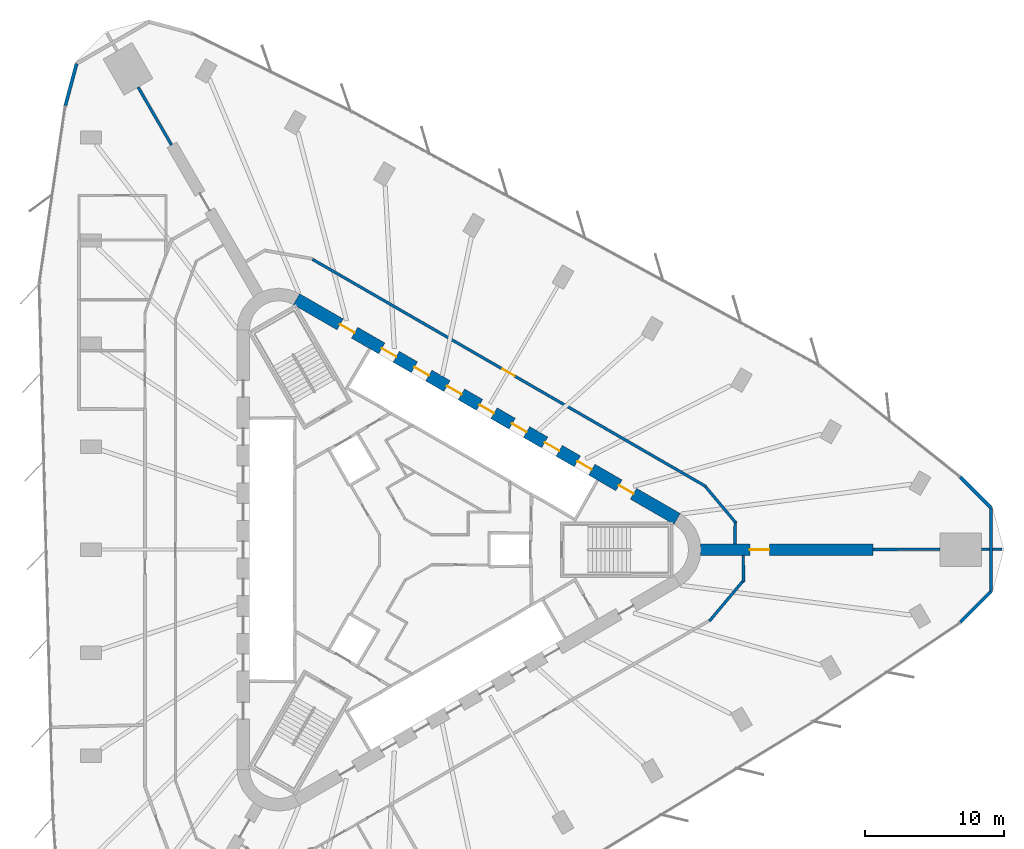
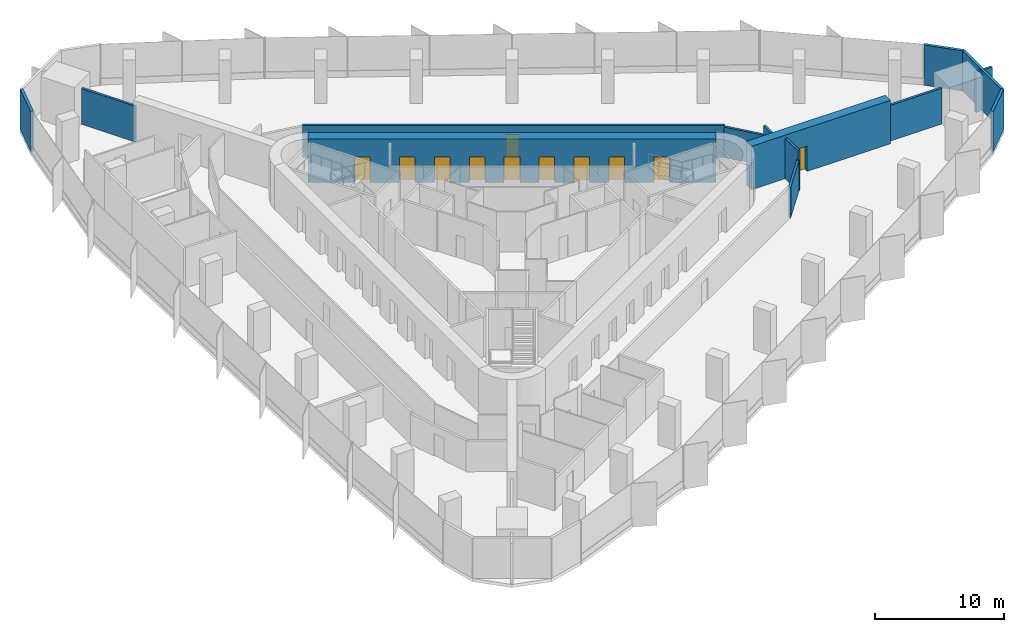
# One storey, part 12 of 14: 15 walls, 11 doors, 11 openings.
"""IFC4 building model written with IfcOpenShell, lengths in metres."""

from ifc_helpers import new_model, si_unit, direction, frame, frame_2d, origin, place, context, subcontext, project, spatial, rectangle, extrude, material, layer, layer_set, type_object, element, fill, save


model = new_model("IFC4")

# Units and contexts
model_context = context("Model", 3, precision=1e-05, world=origin(), true_north=direction((0.0, 1.0)))
body_context = subcontext(model_context, "Body", "Model", "MODEL_VIEW")
ifc_project = project(units=[si_unit("LENGTHUNIT", "METRE"), si_unit("AREAUNIT", "SQUARE_METRE"), si_unit("VOLUMEUNIT", "CUBIC_METRE"), si_unit("PLANEANGLEUNIT", "RADIAN"), si_unit("MASSUNIT", "GRAM", prefix="KILO")], contexts=[model_context])

# Site, building, storey
site_placement = place(None, origin())
site = spatial("IfcSite", under=ifc_project, at=site_placement, CompositionType="ELEMENT")
building_placement = place(site_placement, origin())
building = spatial("IfcBuilding", under=site, at=building_placement, Name="Tanit Gate Tower", CompositionType="ELEMENT")
storey_placement = place(building_placement, frame((0.0, 0.0, 148.0)))
storey = spatial("IfcBuildingStorey", under=building, at=storey_placement, Name="L32", CompositionType="ELEMENT", Elevation=148.0)

# Wall, opening, door
ifc_material_1 = material(Name="Concrete C60/75", Category="concrete")
ifc_layer_1 = layer(ifc_material_1, 0.800048828125)
ifc_layer_set_1 = layer_set([ifc_layer_1], Name="BUTTRESS FIN 800 C60/75")
wall_type_1 = type_object("IfcWallType", Name="BUTTRESS FIN 800 C60/75", PredefinedType="SHEAR", material=ifc_layer_set_1)
wall_1_placement = place(storey_placement, frame((21.14990234375, 0.0, 0.0), z_axis=(0.0, 0.0, 1.0), x_axis=(1.0, 0.0, 0.0)))
wall_1 = element("IfcWall", 1, at=wall_1_placement, inside=storey, type_object=wall_type_1, Name="BUTTRESS FIN", PredefinedType="SHEAR", context=body_context, shape_type="SweptSolid", body=[
    extrude(rectangle(XDim=12.3837890625, YDim=0.800048828125, at=frame_2d((6.19189453125, 0.0))), origin(), (0.0, 0.0, 1.0), 4.10009765625),
])
opening_1_placement = place(wall_1_placement, frame((3.550048828125, 0.0, 0.0)))
opening_1 = element("IfcOpeningElement", 2, at=opening_1_placement, cuts=wall_1, Name="Opening P14-S08-F-E-1", PredefinedType="OPENING", context=body_context, shape_type="SweptSolid", body=[
    extrude(rectangle(XDim=1.39990234375, YDim=2.39990234375, at=frame_2d((0.699951171875, 1.199951171875))), frame((0.0, 0.41015625, 0.0), z_axis=(0.0, -1.0, 0.0), x_axis=(1.0, 0.0, 0.0)), (0.0, 0.0, 1.0), 0.820068359375),
])
ifc_material_2 = material(Name="Timber door leaf", Category="wood")
door_type_1 = type_object("IfcDoorType", Name="INT-DOOR-FIN-PAIR-1400", OperationType="NOTDEFINED", PredefinedType="NOTDEFINED", material=ifc_material_2)
door_1_placement = place(opening_1_placement, origin())
door_1 = element("IfcDoor", 3, at=door_1_placement, inside=storey, type_object=door_type_1, Name="Door P14-S08-F-E-1", OperationType="DOUBLE_DOOR_SINGLE_SWING", OverallHeight=2.39990234375, OverallWidth=1.39990234375, PredefinedType="NOTDEFINED", context=body_context, shape_type="SweptSolid", body=[
    extrude(rectangle(XDim=1.39990234375, YDim=2.39990234375, at=frame_2d((0.699951171875, 1.199951171875))), frame((0.0, 0.02490234375, 0.0), z_axis=(0.0, -1.0, 0.0), x_axis=(1.0, 0.0, 0.0)), (0.0, 0.0, 1.0), 0.050048828125),
])
fill(opening_1, door_1)

# Wall, openings, doors
ifc_material_3 = material(Name="Concrete C60/75", Category="concrete")
ifc_layer_2 = layer(ifc_material_3, 0.89990234375)
ifc_layer_set_2 = layer_set([ifc_layer_2], Name="CORE WALL 900 C60/75")
wall_type_2 = type_object("IfcWallType", Name="CORE WALL 900 C60/75", PredefinedType="SHEAR", material=ifc_layer_set_2)
wall_2_placement = place(storey_placement, frame((19.47509765625, 2.20849609375, 0.0), z_axis=(0.0, 0.0, 1.0), x_axis=(-0.866028369851, 0.499994862586, 0.0)))
wall_2 = element("IfcWall", 4, at=wall_2_placement, inside=storey, type_object=wall_type_2, Name="CORE WALL", PredefinedType="SHEAR", context=body_context, shape_type="SweptSolid", body=[
    extrude(rectangle(XDim=31.523193359375, YDim=0.89990234375, at=frame_2d((15.76171875, 0.0))), origin(), (0.0, 0.0, 1.0), 4.10009765625),
])
opening_2_placement = place(wall_2_placement, frame((7.0615234375, 0.0, 0.0)))
opening_2 = element("IfcOpeningElement", 5, at=opening_2_placement, cuts=wall_2, Name="Opening LDLL8-S08", PredefinedType="OPENING", context=body_context, shape_type="SweptSolid", body=[
    extrude(rectangle(XDim=1.199951171875, YDim=2.39990234375, at=frame_2d((0.60009765625, 1.199951171875))), frame((0.0, 0.4599609375, 0.0), z_axis=(0.0, -1.0, 0.0), x_axis=(1.0, 0.0, 0.0)), (0.0, 0.0, 1.0), 0.919921875),
])
opening_3_placement = place(wall_2_placement, frame((9.76171875, 0.0, 0.0)))
opening_3 = element("IfcOpeningElement", 6, at=opening_3_placement, cuts=wall_2, Name="Opening LDLL9-S08", PredefinedType="OPENING", context=body_context, shape_type="SweptSolid", body=[
    extrude(rectangle(XDim=1.199951171875, YDim=2.39990234375, at=frame_2d((0.60009765625, 1.199951171875))), frame((0.0, 0.4599609375, 0.0), z_axis=(0.0, -1.0, 0.0), x_axis=(1.0, 0.0, 0.0)), (0.0, 0.0, 1.0), 0.919921875),
])
opening_4_placement = place(wall_2_placement, frame((12.461669921875, 0.0, 0.0)))
opening_4 = element("IfcOpeningElement", 7, at=opening_4_placement, cuts=wall_2, Name="Opening LDLL10-S08", PredefinedType="OPENING", context=body_context, shape_type="SweptSolid", body=[
    extrude(rectangle(XDim=1.199951171875, YDim=2.39990234375, at=frame_2d((0.60009765625, 1.199951171875))), frame((0.0, 0.4599609375, 0.0), z_axis=(0.0, -1.0, 0.0), x_axis=(1.0, 0.0, 0.0)), (0.0, 0.0, 1.0), 0.919921875),
])
opening_5_placement = place(wall_2_placement, frame((15.16162109375, 0.0, 0.0)))
opening_5 = element("IfcOpeningElement", 8, at=opening_5_placement, cuts=wall_2, Name="Opening LDSL1-S08", PredefinedType="OPENING", context=body_context, shape_type="SweptSolid", body=[
    extrude(rectangle(XDim=1.199951171875, YDim=2.39990234375, at=frame_2d((0.60009765625, 1.199951171875))), frame((0.0, 0.4599609375, 0.0), z_axis=(0.0, -1.0, 0.0), x_axis=(1.0, 0.0, 0.0)), (0.0, 0.0, 1.0), 0.919921875),
])
opening_6_placement = place(wall_2_placement, frame((17.861572265625, 0.0, 0.0)))
opening_6 = element("IfcOpeningElement", 9, at=opening_6_placement, cuts=wall_2, Name="Opening LDSL2-S08", PredefinedType="OPENING", context=body_context, shape_type="SweptSolid", body=[
    extrude(rectangle(XDim=1.199951171875, YDim=2.39990234375, at=frame_2d((0.60009765625, 1.199951171875))), frame((0.0, 0.4599609375, 0.0), z_axis=(0.0, -1.0, 0.0), x_axis=(1.0, 0.0, 0.0)), (0.0, 0.0, 1.0), 0.919921875),
])
opening_7_placement = place(wall_2_placement, frame((20.5615234375, 0.0, 0.0)))
opening_7 = element("IfcOpeningElement", 10, at=opening_7_placement, cuts=wall_2, Name="Opening LDSL3-S08", PredefinedType="OPENING", context=body_context, shape_type="SweptSolid", body=[
    extrude(rectangle(XDim=1.199951171875, YDim=2.39990234375, at=frame_2d((0.60009765625, 1.199951171875))), frame((0.0, 0.4599609375, 0.0), z_axis=(0.0, -1.0, 0.0), x_axis=(1.0, 0.0, 0.0)), (0.0, 0.0, 1.0), 0.919921875),
])
opening_8_placement = place(wall_2_placement, frame((23.26171875, 0.0, 0.0)))
opening_8 = element("IfcOpeningElement", 11, at=opening_8_placement, cuts=wall_2, Name="Opening LDSL4-S08", PredefinedType="OPENING", context=body_context, shape_type="SweptSolid", body=[
    extrude(rectangle(XDim=1.199951171875, YDim=2.39990234375, at=frame_2d((0.60009765625, 1.199951171875))), frame((0.0, 0.4599609375, 0.0), z_axis=(0.0, -1.0, 0.0), x_axis=(1.0, 0.0, 0.0)), (0.0, 0.0, 1.0), 0.919921875),
])
opening_9_placement = place(wall_2_placement, frame((3.611572265625, 0.0, 0.0)))
opening_9 = element("IfcOpeningElement", 12, at=opening_9_placement, cuts=wall_2, Name="Opening F12-S08-FL1", PredefinedType="OPENING", context=body_context, shape_type="SweptSolid", body=[
    extrude(rectangle(XDim=1.199951171875, YDim=2.39990234375, at=frame_2d((0.60009765625, 1.199951171875))), frame((0.0, 0.4599609375, 0.0), z_axis=(0.0, -1.0, 0.0), x_axis=(1.0, 0.0, 0.0)), (0.0, 0.0, 1.0), 0.919921875),
])
opening_10_placement = place(wall_2_placement, frame((26.711669921875, 0.0, 0.0)))
opening_10 = element("IfcOpeningElement", 13, at=opening_10_placement, cuts=wall_2, Name="Opening F12-S08-S2", PredefinedType="OPENING", context=body_context, shape_type="SweptSolid", body=[
    extrude(rectangle(XDim=1.199951171875, YDim=2.39990234375, at=frame_2d((0.60009765625, 1.199951171875))), frame((0.0, 0.4599609375, 0.0), z_axis=(0.0, -1.0, 0.0), x_axis=(1.0, 0.0, 0.0)), (0.0, 0.0, 1.0), 0.919921875),
])
ifc_material_4 = material(Name="Fire-rated steel door leaf", Category="steel")
door_type_2 = type_object("IfcDoorType", Name="INT-DOOR-FIRE-LOBBY-1200", OperationType="NOTDEFINED", PredefinedType="USERDEFINED", material=ifc_material_4)
door_2_placement = place(opening_9_placement, origin())
door_2 = element("IfcDoor", 14, at=door_2_placement, inside=storey, type_object=door_type_2, Name="Door F12-S08-FL1", ObjectType="FIRE DOOR", OperationType="SINGLE_SWING_RIGHT", OverallHeight=2.39990234375, OverallWidth=1.199951171875, PredefinedType="USERDEFINED", context=body_context, shape_type="SweptSolid", body=[
    extrude(rectangle(XDim=1.199951171875, YDim=2.39990234375, at=frame_2d((0.60009765625, 1.199951171875))), frame((0.0, 0.02490234375, 0.0), z_axis=(0.0, -1.0, 0.0), x_axis=(1.0, 0.0, 0.0)), (0.0, 0.0, 1.0), 0.050048828125),
])
fill(opening_9, door_2)
door_3_placement = place(opening_10_placement, origin())
door_3 = element("IfcDoor", 15, at=door_3_placement, inside=storey, type_object=door_type_2, Name="Door F12-S08-S2", ObjectType="FIRE DOOR", OperationType="SINGLE_SWING_LEFT", OverallHeight=2.39990234375, OverallWidth=1.199951171875, PredefinedType="USERDEFINED", context=body_context, shape_type="SweptSolid", body=[
    extrude(rectangle(XDim=1.199951171875, YDim=2.39990234375, at=frame_2d((0.60009765625, 1.199951171875))), frame((0.0, 0.02490234375, 0.0), z_axis=(0.0, -1.0, 0.0), x_axis=(1.0, 0.0, 0.0)), (0.0, 0.0, 1.0), 0.050048828125),
])
fill(opening_10, door_3)
ifc_material_5 = material(Name="Stainless steel sliding door leaf", Category="steel")
door_type_3 = type_object("IfcDoorType", Name="INT-DOOR-LANDING-1200", OperationType="NOTDEFINED", PredefinedType="USERDEFINED", material=ifc_material_5)
door_4_placement = place(opening_2_placement, origin())
door_4 = element("IfcDoor", 16, at=door_4_placement, inside=storey, type_object=door_type_3, Name="Door LDLL8-S08", ObjectType="LANDING DOOR", OperationType="SLIDING_TO_LEFT", OverallHeight=2.39990234375, OverallWidth=1.199951171875, PredefinedType="USERDEFINED", context=body_context, shape_type="SweptSolid", body=[
    extrude(rectangle(XDim=1.199951171875, YDim=2.39990234375, at=frame_2d((0.60009765625, 1.199951171875))), frame((0.0, 0.02490234375, 0.0), z_axis=(0.0, -1.0, 0.0), x_axis=(1.0, 0.0, 0.0)), (0.0, 0.0, 1.0), 0.050048828125),
])
fill(opening_2, door_4)
door_5_placement = place(opening_3_placement, origin())
door_5 = element("IfcDoor", 17, at=door_5_placement, inside=storey, type_object=door_type_3, Name="Door LDLL9-S08", ObjectType="LANDING DOOR", OperationType="SLIDING_TO_LEFT", OverallHeight=2.39990234375, OverallWidth=1.199951171875, PredefinedType="USERDEFINED", context=body_context, shape_type="SweptSolid", body=[
    extrude(rectangle(XDim=1.199951171875, YDim=2.39990234375, at=frame_2d((0.60009765625, 1.199951171875))), frame((0.0, 0.02490234375, 0.0), z_axis=(0.0, -1.0, 0.0), x_axis=(1.0, 0.0, 0.0)), (0.0, 0.0, 1.0), 0.050048828125),
])
fill(opening_3, door_5)
door_6_placement = place(opening_4_placement, origin())
door_6 = element("IfcDoor", 18, at=door_6_placement, inside=storey, type_object=door_type_3, Name="Door LDLL10-S08", ObjectType="LANDING DOOR", OperationType="SLIDING_TO_LEFT", OverallHeight=2.39990234375, OverallWidth=1.199951171875, PredefinedType="USERDEFINED", context=body_context, shape_type="SweptSolid", body=[
    extrude(rectangle(XDim=1.199951171875, YDim=2.39990234375, at=frame_2d((0.60009765625, 1.199951171875))), frame((0.0, 0.02490234375, 0.0), z_axis=(0.0, -1.0, 0.0), x_axis=(1.0, 0.0, 0.0)), (0.0, 0.0, 1.0), 0.050048828125),
])
fill(opening_4, door_6)
door_7_placement = place(opening_5_placement, origin())
door_7 = element("IfcDoor", 19, at=door_7_placement, inside=storey, type_object=door_type_3, Name="Door LDSL1-S08", ObjectType="LANDING DOOR", OperationType="SLIDING_TO_LEFT", OverallHeight=2.39990234375, OverallWidth=1.199951171875, PredefinedType="USERDEFINED", context=body_context, shape_type="SweptSolid", body=[
    extrude(rectangle(XDim=1.199951171875, YDim=2.39990234375, at=frame_2d((0.60009765625, 1.199951171875))), frame((0.0, 0.02490234375, 0.0), z_axis=(0.0, -1.0, 0.0), x_axis=(1.0, 0.0, 0.0)), (0.0, 0.0, 1.0), 0.050048828125),
])
fill(opening_5, door_7)
door_8_placement = place(opening_6_placement, origin())
door_8 = element("IfcDoor", 20, at=door_8_placement, inside=storey, type_object=door_type_3, Name="Door LDSL2-S08", ObjectType="LANDING DOOR", OperationType="SLIDING_TO_LEFT", OverallHeight=2.39990234375, OverallWidth=1.199951171875, PredefinedType="USERDEFINED", context=body_context, shape_type="SweptSolid", body=[
    extrude(rectangle(XDim=1.199951171875, YDim=2.39990234375, at=frame_2d((0.60009765625, 1.199951171875))), frame((0.0, 0.02490234375, 0.0), z_axis=(0.0, -1.0, 0.0), x_axis=(1.0, 0.0, 0.0)), (0.0, 0.0, 1.0), 0.050048828125),
])
fill(opening_6, door_8)
door_9_placement = place(opening_7_placement, origin())
door_9 = element("IfcDoor", 21, at=door_9_placement, inside=storey, type_object=door_type_3, Name="Door LDSL3-S08", ObjectType="LANDING DOOR", OperationType="SLIDING_TO_LEFT", OverallHeight=2.39990234375, OverallWidth=1.199951171875, PredefinedType="USERDEFINED", context=body_context, shape_type="SweptSolid", body=[
    extrude(rectangle(XDim=1.199951171875, YDim=2.39990234375, at=frame_2d((0.60009765625, 1.199951171875))), frame((0.0, 0.02490234375, 0.0), z_axis=(0.0, -1.0, 0.0), x_axis=(1.0, 0.0, 0.0)), (0.0, 0.0, 1.0), 0.050048828125),
])
fill(opening_7, door_9)
door_10_placement = place(opening_8_placement, origin())
door_10 = element("IfcDoor", 22, at=door_10_placement, inside=storey, type_object=door_type_3, Name="Door LDSL4-S08", ObjectType="LANDING DOOR", OperationType="SLIDING_TO_LEFT", OverallHeight=2.39990234375, OverallWidth=1.199951171875, PredefinedType="USERDEFINED", context=body_context, shape_type="SweptSolid", body=[
    extrude(rectangle(XDim=1.199951171875, YDim=2.39990234375, at=frame_2d((0.60009765625, 1.199951171875))), frame((0.0, 0.02490234375, 0.0), z_axis=(0.0, -1.0, 0.0), x_axis=(1.0, 0.0, 0.0)), (0.0, 0.0, 1.0), 0.050048828125),
])
fill(opening_8, door_10)

# Walls
ifc_material_6 = material(Name="Concrete C30/37 with bronze anodised aluminium cladding", Category="concrete")
ifc_layer_3 = layer(ifc_material_6, 0.239990234375)
ifc_layer_set_3 = layer_set([ifc_layer_3], Name="Facade wall bronze clad 240")
wall_type_3 = type_object("IfcWallType", Name="Facade wall bronze clad 240", PredefinedType="SOLIDWALL", material=ifc_layer_set_3)
wall_3_placement = place(storey_placement, frame((-23.60302734375, 34.87109375, 0.0), z_axis=(0.0, 0.0, 1.0), x_axis=(-0.258820386593, -0.965925466837, 0.0)))
element("IfcWall", 23, at=wall_3_placement, inside=storey, type_object=wall_type_3, Name="Bronze-clad facade wall L32 NW.arc3", PredefinedType="SOLIDWALL", context=body_context, shape_type="SweptSolid", body=[
    extrude(rectangle(XDim=3.136474609375, YDim=0.239990234375, at=frame_2d((1.568359375, 0.0))), origin(), (0.0, 0.0, 1.0), 3.800048828125),
])
wall_4_placement = place(storey_placement, frame((39.7861328125, -5.2197265625, 0.0), z_axis=(0.0, 0.0, 1.0), x_axis=(0.707106781187, 0.707106781187, 0.0)))
element("IfcWall", 24, at=wall_4_placement, inside=storey, type_object=wall_type_3, Name="Bronze-clad facade wall L32 E.arc1", PredefinedType="SOLIDWALL", context=body_context, shape_type="SweptSolid", body=[
    extrude(rectangle(XDim=3.1318359375, YDim=0.239990234375, at=frame_2d((1.56591796875, 0.0))), origin(), (0.0, 0.0, 1.0), 3.800048828125),
])
wall_5_placement = place(storey_placement, frame((42.000732421875, -3.005126953125, 0.0), z_axis=(0.0, 0.0, 1.0), x_axis=(0.0, 1.0, 0.0)))
element("IfcWall", 25, at=wall_5_placement, inside=storey, type_object=wall_type_3, Name="Bronze-clad facade wall L32 E.arc2", PredefinedType="SOLIDWALL", context=body_context, shape_type="SweptSolid", body=[
    extrude(rectangle(XDim=6.01025390625, YDim=0.239990234375, at=frame_2d((3.005126953125, 0.0))), origin(), (0.0, 0.0, 1.0), 3.800048828125),
])
wall_6_placement = place(storey_placement, frame((42.000732421875, 3.005126953125, 0.0), z_axis=(0.0, 0.0, 1.0), x_axis=(-0.707067861805, 0.707145698426, 0.0)))
element("IfcWall", 26, at=wall_6_placement, inside=storey, type_object=wall_type_3, Name="Bronze-clad facade wall L32 E.arc3", PredefinedType="SOLIDWALL", context=body_context, shape_type="SweptSolid", body=[
    extrude(rectangle(XDim=3.136474609375, YDim=0.239990234375, at=frame_2d((1.568359375, 0.0))), origin(), (0.0, 0.0, 1.0), 3.800048828125),
])

# Wall, opening, door
ifc_material_7 = material(Name="Fire-rated gypsum board partition")
ifc_layer_4 = layer(ifc_material_7, 0.199951171875)
ifc_layer_set_4 = layer_set([ifc_layer_4], Name="INT-WALL-COMPARTMENT")
wall_type_4 = type_object("IfcWallType", Name="INT-WALL-COMPARTMENT", PredefinedType="PARTITIONING", material=ifc_layer_set_4)
wall_7_placement = place(storey_placement, frame((21.55224609375, 4.53076171875, 0.0), z_axis=(0.0, 0.0, 1.0), x_axis=(-0.866023703603, 0.500002944789, 0.0)))
wall_7 = element("IfcWall", 27, at=wall_7_placement, inside=storey, type_object=wall_type_4, Name="Wall Compartment W103", PredefinedType="PARTITIONING", context=body_context, shape_type="SweptSolid", body=[
    extrude(rectangle(XDim=32.598876953125, YDim=0.199951171875, at=frame_2d((16.29931640625, 0.0))), origin(), (0.0, 0.0, 1.0), 2.97998046875),
])
opening_11_placement = place(wall_7_placement, frame((15.849609375, 0.0, 0.0)))
opening_11 = element("IfcOpeningElement", 28, at=opening_11_placement, cuts=wall_7, Name="Opening F10-S08-27", PredefinedType="OPENING", context=body_context, shape_type="SweptSolid", body=[
    extrude(rectangle(XDim=1.0, YDim=2.10009765625, at=frame_2d((0.5, 1.050048828125))), frame((0.0, 0.10986328125, 0.0), z_axis=(0.0, -1.0, 0.0), x_axis=(1.0, 0.0, 0.0)), (0.0, 0.0, 1.0), 0.219970703125),
])
ifc_material_8 = material(Name="Fire-rated steel door leaf", Category="steel")
door_type_4 = type_object("IfcDoorType", Name="INT-DOOR-FIRE-1000", OperationType="NOTDEFINED", PredefinedType="USERDEFINED", material=ifc_material_8)
door_11_placement = place(opening_11_placement, origin())
door_11 = element("IfcDoor", 29, at=door_11_placement, inside=storey, type_object=door_type_4, Name="Door F10-S08-27", ObjectType="FIRE DOOR", OperationType="SINGLE_SWING_RIGHT", OverallHeight=2.10009765625, OverallWidth=1.0, PredefinedType="USERDEFINED", context=body_context, shape_type="SweptSolid", body=[
    extrude(rectangle(XDim=1.0, YDim=2.10009765625, at=frame_2d((0.5, 1.050048828125))), frame((0.0, 0.02490234375, 0.0), z_axis=(0.0, -1.0, 0.0), x_axis=(1.0, 0.0, 0.0)), (0.0, 0.0, 1.0), 0.050048828125),
])
fill(opening_11, door_11)

# Walls
wall_8_placement = place(storey_placement, frame((23.720458984375, 1.893798828125, 0.0), z_axis=(0.0, 0.0, 1.0), x_axis=(-0.642802187783, 0.766032210407, 0.0)))
element("IfcWall", 30, at=wall_8_placement, inside=storey, type_object=wall_type_4, Name="Wall Compartment W104", PredefinedType="PARTITIONING", context=body_context, shape_type="SweptSolid", body=[
    extrude(rectangle(XDim=3.40771484375, YDim=0.199951171875, at=frame_2d((1.703857421875, 0.0))), origin(), (0.0, 0.0, 1.0), 2.8798828125),
])
wall_9_placement = place(storey_placement, frame((23.622314453125, 0.39990234375, 0.0), z_axis=(0.0, 0.0, 1.0), x_axis=(0.015125657972, 0.999885600692, 0.0)))
element("IfcWall", 31, at=wall_9_placement, inside=storey, type_object=wall_type_4, Name="Wall Compartment W105", PredefinedType="PARTITIONING", context=body_context, shape_type="SweptSolid", body=[
    extrude(rectangle(XDim=1.533447265625, YDim=0.199951171875, at=frame_2d((0.7666015625, 0.0))), origin(), (0.0, 0.0, 1.0), 3.800048828125),
])
wall_10_placement = place(storey_placement, frame((24.247802734375, -2.316650390625, 0.0), z_axis=(0.0, 0.0, 1.0), x_axis=(-0.013627571522, 0.999907140336, 0.0)))
element("IfcWall", 32, at=wall_10_placement, inside=storey, type_object=wall_type_4, Name="Wall Compartment W106", PredefinedType="PARTITIONING", context=body_context, shape_type="SweptSolid", body=[
    extrude(rectangle(XDim=1.9169921875, YDim=0.199951171875, at=frame_2d((0.95849609375, 0.0))), origin(), (0.0, 0.0, 1.0), 3.800048828125),
])
wall_11_placement = place(storey_placement, frame((21.79296875, -5.124267578125, 0.0), z_axis=(0.0, 0.0, 1.0), x_axis=(0.642787733653, 0.766044339098, 0.0)))
element("IfcWall", 33, at=wall_11_placement, inside=storey, type_object=wall_type_4, Name="Wall Compartment W107", PredefinedType="PARTITIONING", context=body_context, shape_type="SweptSolid", body=[
    extrude(rectangle(XDim=3.767333984375, YDim=0.199951171875, at=frame_2d((1.8837890625, 0.0))), origin(), (0.0, 0.0, 1.0), 2.8798828125),
])
wall_12_placement = place(storey_placement, frame((-19.191162109375, 33.179931640625, 0.0), z_axis=(0.0, 0.0, 1.0), x_axis=(0.500036743394, -0.866004188936, 0.0)))
element("IfcWall", 34, at=wall_12_placement, inside=storey, type_object=wall_type_4, Name="Wall Compartment W119", PredefinedType="PARTITIONING", context=body_context, shape_type="SweptSolid", body=[
    extrude(rectangle(XDim=4.796630859375, YDim=0.199951171875, at=frame_2d((2.3984375, 0.0))), origin(), (0.0, 0.0, 1.0), 3.3701171875),
])
wall_13_placement = place(storey_placement, frame((33.53369140625, 0.019775390625, 0.0), z_axis=(0.0, 0.0, 1.0), x_axis=(0.999997714828, 0.002137834878, 0.0)))
element("IfcWall", 35, at=wall_13_placement, inside=storey, type_object=wall_type_4, Name="Wall Compartment W128", PredefinedType="PARTITIONING", context=body_context, shape_type="SweptSolid", body=[
    extrude(rectangle(XDim=4.79638671875, YDim=0.199951171875, at=frame_2d((2.398193359375, 0.0))), origin(), (0.0, 0.0, 1.0), 3.3701171875),
])
wall_14_placement = place(storey_placement, frame((41.330078125, 0.030029296875, 0.0), z_axis=(0.0, 0.0, 1.0), x_axis=(1.0, 0.0, 0.0)))
element("IfcWall", 36, at=wall_14_placement, inside=storey, type_object=wall_type_4, Name="Wall Compartment W129", PredefinedType="PARTITIONING", context=body_context, shape_type="SweptSolid", body=[
    extrude(rectangle(XDim=0.550537109375, YDim=0.199951171875, at=frame_2d((0.275390625, 0.0))), origin(), (0.0, 0.0, 1.0), 3.800048828125),
])
wall_15_placement = place(storey_placement, frame((42.12060546875, 0.030029296875, 0.0), z_axis=(0.0, 0.0, 1.0), x_axis=(1.0, 0.0, 0.0)))
element("IfcWall", 37, at=wall_15_placement, inside=storey, type_object=wall_type_4, Name="Wall Compartment W129x1", PredefinedType="PARTITIONING", context=body_context, shape_type="SweptSolid", body=[
    extrude(rectangle(XDim=0.67724609375, YDim=0.199951171875, at=frame_2d((0.338623046875, 0.0))), origin(), (0.0, 0.0, 1.0), 3.800048828125),
])

save(model, "model.ifc")
